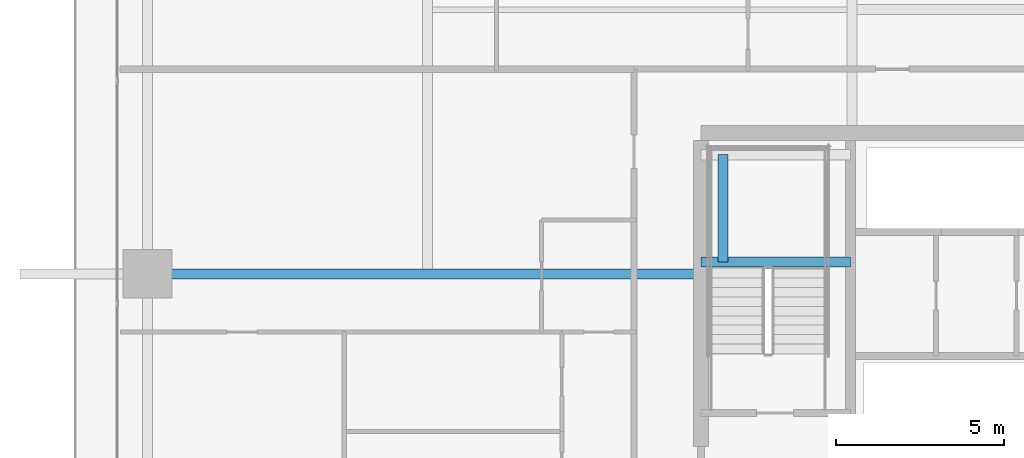
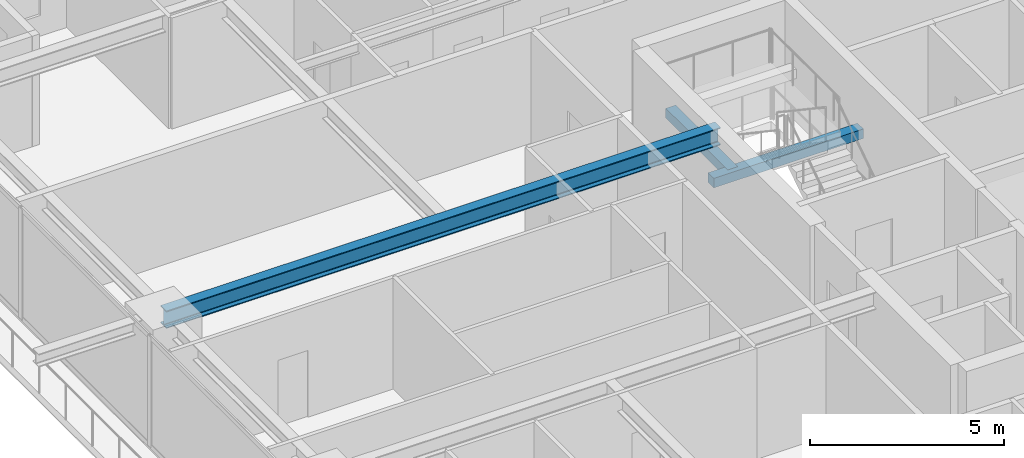
# One storey, part 9 of 39: 3 beams.
"""IFC4 building model written with IfcOpenShell, lengths in metres."""

from ifc_helpers import new_model, si_unit, direction, frame, origin, origin_2d, place, context, subcontext, project, spatial, rectangle, i_section, extrude, source, transform, mapped, material, material_profile, profile_set, type_object, element, save


model = new_model("IFC4")

# Units and contexts
model_context = context("Model", 3, precision=1e-05, world=origin(), true_north=direction((0.0, 1.0)))
body_context = subcontext(model_context, "Body", "Model", "MODEL_VIEW")
ifc_project = project(units=[si_unit("LENGTHUNIT", "METRE"), si_unit("AREAUNIT", "SQUARE_METRE"), si_unit("VOLUMEUNIT", "CUBIC_METRE"), si_unit("PLANEANGLEUNIT", "RADIAN"), si_unit("MASSUNIT", "GRAM", prefix="KILO")], contexts=[model_context])

# Site, building, storey
site_placement = place(None, origin())
site = spatial("IfcSite", under=ifc_project, at=site_placement, CompositionType="ELEMENT")
building_placement = place(site_placement, origin())
building = spatial("IfcBuilding", under=site, at=building_placement, Name="Serunith Strait Residences", CompositionType="ELEMENT")
storey_placement = place(building_placement, frame((0.0, 0.0, 97.949951171875)))
storey = spatial("IfcBuildingStorey", under=building, at=storey_placement, Name="L24", CompositionType="ELEMENT", Elevation=97.949951171875)

# Beams
ifc_material_1 = material(Name="Steel S355J2", Category="steel")
ifc_material_profile_1 = material_profile(ifc_material_1, i_section(OverallWidth=0.300048828125, OverallDepth=0.550048828125, WebThickness=0.014892578125, FlangeThickness=0.029052734375, FilletRadius=0.027099609375, at=origin_2d()), Name="HEB 550")
ifc_profile_set_1 = profile_set([ifc_material_profile_1], Name="Steel S355J2")
beam_type_1 = type_object("IfcBeamType", Name="BM-HEB550", PredefinedType="BEAM", material=ifc_profile_set_1)
shared_shape_1 = source(origin(), body_context, "Body", "SweptSolid", [
    extrude(i_section(OverallWidth=0.300048828125, OverallDepth=0.550048828125, WebThickness=0.014892578125, FlangeThickness=0.029052734375, FilletRadius=0.027099609375, at=origin_2d()), origin(), (0.0, 0.0, 1.0), 16.5),
])
beam_1_placement = place(storey_placement, frame((23.39990234375, 29.39990234375, 3.212158203125), z_axis=(-1.0, 0.0, 0.0), x_axis=(0.0, -1.0, 0.0)))
element("IfcBeam", 1, at=beam_1_placement, inside=storey, type_object=beam_type_1, Name="L24 Primary Floor Girder TC-W3", PredefinedType="BEAM", context=body_context, shape_type="MappedRepresentation", body=[
    mapped(shared_shape_1, transform((0.0, 0.0, 0.0), scale=1.0)),
])
ifc_material_2 = material(Name="Concrete C60/75", Category="concrete")
ifc_material_profile_2 = material_profile(ifc_material_2, rectangle(XDim=0.300048828125, YDim=0.300048828125, at=origin_2d()), Name="RC 300x300")
ifc_profile_set_2 = profile_set([ifc_material_profile_2], Name="Concrete C60/75")
beam_type_2 = type_object("IfcBeamType", Name="BM-LAND-300x300", PredefinedType="BEAM", material=ifc_profile_set_2)
shared_shape_2 = source(origin(), body_context, "Body", "SweptSolid", [
    extrude(rectangle(XDim=0.300048828125, YDim=0.300048828125, at=origin_2d()), origin(), (0.0, 0.0, 1.0), 4.4501953125),
])
beam_2_placement = place(storey_placement, frame((23.39990234375, 29.75, 1.525146484375), z_axis=(1.0, 0.0, 0.0), x_axis=(0.0, 1.0, 0.0)))
element("IfcBeam", 2, at=beam_2_placement, inside=storey, type_object=beam_type_2, Name="L24 ST-1 Landing Support Beam 1", PredefinedType="BEAM", context=body_context, shape_type="MappedRepresentation", body=[
    mapped(shared_shape_2, transform((0.0, 0.0, 0.0), scale=1.0)),
])
shared_shape_3 = source(origin(), body_context, "Body", "SweptSolid", [
    extrude(rectangle(XDim=0.300048828125, YDim=0.300048828125, at=origin_2d()), origin(), (0.0, 0.0, 1.0), 3.199951171875),
])
beam_3_placement = place(storey_placement, frame((24.050048828125, 29.75, 1.525146484375), z_axis=(0.0, 1.0, 0.0), x_axis=(-1.0, 0.0, 0.0)))
element("IfcBeam", 3, at=beam_3_placement, inside=storey, type_object=beam_type_2, Name="L24 ST-1 Landing Transverse Tie Beam", PredefinedType="BEAM", context=body_context, shape_type="MappedRepresentation", body=[
    mapped(shared_shape_3, transform((0.0, 0.0, 0.0), scale=1.0)),
])

save(model, "model.ifc")
